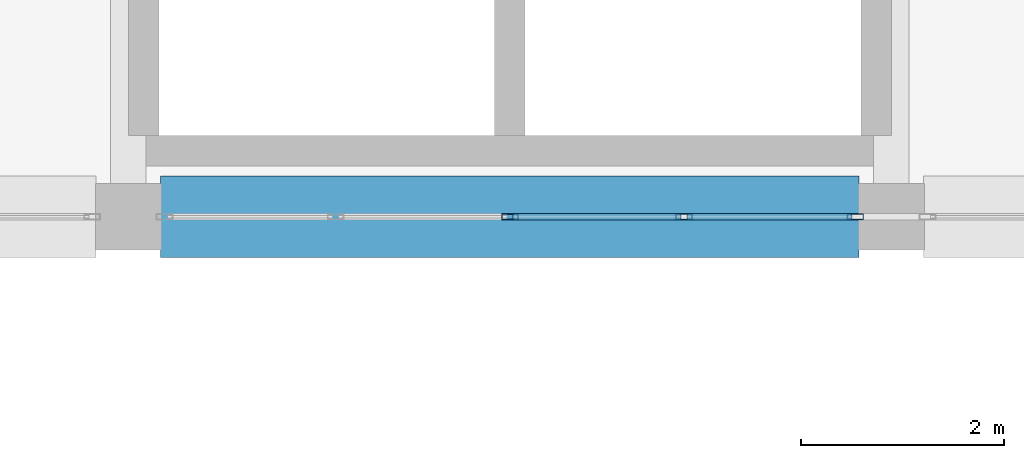
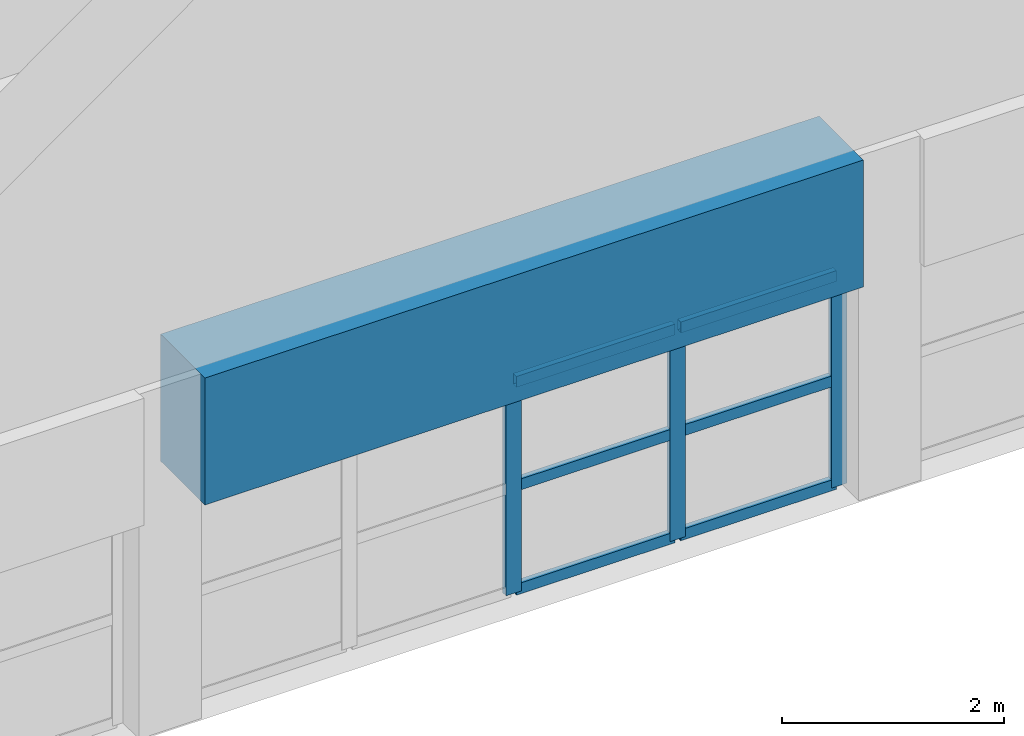
# One storey, part 23 of 74: 9 members, 1 beam, 1 element without a shape of its own.
"""IFC4 building model written with IfcOpenShell, lengths in metres."""

from ifc_helpers import new_model, si_unit, direction, frame, origin, origin_2d, place, context, subcontext, project, spatial, rectangle, hollow_rectangle, extrude, material, layer, layer_set, material_profile, profile_set, type_object, element, aggregate, save


model = new_model("IFC4")

# Units and contexts
model_context = context("Model", 3, precision=1e-05, world=origin(), true_north=direction((0.0, 1.0)))
body_context = subcontext(model_context, "Body", "Model", "MODEL_VIEW")
ifc_project = project(units=[si_unit("LENGTHUNIT", "METRE"), si_unit("AREAUNIT", "SQUARE_METRE"), si_unit("VOLUMEUNIT", "CUBIC_METRE"), si_unit("PLANEANGLEUNIT", "RADIAN"), si_unit("MASSUNIT", "GRAM", prefix="KILO")], contexts=[model_context])

# Site, building, storey
site_placement = place(None, origin())
site = spatial("IfcSite", under=ifc_project, at=site_placement, CompositionType="ELEMENT")
building_placement = place(site_placement, origin())
building = spatial("IfcBuilding", under=site, at=building_placement, Name="Muzn Square Opera House", CompositionType="ELEMENT")
storey_placement = place(building_placement, frame((0.0, 0.0, 14.199951171875)))
storey = spatial("IfcBuildingStorey", under=building, at=storey_placement, Name="L03", CompositionType="ELEMENT", Elevation=14.199951171875)

# Curtain wall, members
ifc_material_1 = material(Name="Low-E laminated acoustic double glazing", Category="glass")
ifc_layer = layer(ifc_material_1, 0.159912109375, Name="Low-E laminated acoustic double glazing", Category="glass")
ifc_layer_set = layer_set([ifc_layer], Name="Low-E laminated acoustic double glazing")
curtain_wall_type = type_object("IfcCurtainWallType", Name="Glazed Curtain Wall Forecourt 6850x2350", PredefinedType="USERDEFINED", material=ifc_layer_set)
curtain_wall_placement = place(storey_placement, origin())
curtain_wall = element("IfcCurtainWall", 1, at=curtain_wall_placement, inside=storey, type_object=curtain_wall_type, Name="Glazed Curtain Wall CW-L03-027", ObjectType="GLAZED CURTAIN WALL", PredefinedType="USERDEFINED")
ifc_material_2 = material(Name="Anodised bronze aluminium 6063-T6", Category="metal")
ifc_material_profile_1 = material_profile(ifc_material_2, hollow_rectangle(XDim=0.06005859375, YDim=0.159912109375, WallThickness=0.00390625, at=origin_2d()), Name="ALU 160x60x4", Category="metal")
ifc_profile_set_1 = profile_set([ifc_material_profile_1], Name="Anodised bronze aluminium 6063-T6")
member_type_1 = type_object("IfcMemberType", Name="Curtain Wall Mullion 160x60", PredefinedType="MULLION", material=ifc_profile_set_1)
member_1_placement = place(storey_placement, frame((114.25, 22.0, 0.0), z_axis=(0.0, 0.0, 1.0), x_axis=(0.0, 1.0, 0.0)))
member_1 = element("IfcMember", 2, at=member_1_placement, type_object=member_type_1, Name="CW-FC-68x23 mullion 3", PredefinedType="MULLION", context=body_context, shape_type="SweptSolid", body=[
    extrude(hollow_rectangle(XDim=0.06005859375, YDim=0.159912109375, WallThickness=0.00390625, at=origin_2d()), origin(), (0.0, 0.0, 1.0), 2.35009765625),
])
member_2_placement = place(storey_placement, frame((115.96240234375, 22.0, 0.0), z_axis=(0.0, 0.0, 1.0), x_axis=(0.0, 1.0, 0.0)))
member_2 = element("IfcMember", 3, at=member_2_placement, type_object=member_type_1, Name="CW-FC-68x23 mullion 4", PredefinedType="MULLION", context=body_context, shape_type="SweptSolid", body=[
    extrude(hollow_rectangle(XDim=0.06005859375, YDim=0.159912109375, WallThickness=0.00390625, at=origin_2d()), origin(), (0.0, 0.0, 1.0), 2.35009765625),
])
member_3_placement = place(storey_placement, frame((117.64501953125, 22.0, 0.0), z_axis=(0.0, 0.0, 1.0), x_axis=(0.0, 1.0, 0.0)))
member_3 = element("IfcMember", 4, at=member_3_placement, type_object=member_type_1, Name="CW-FC-68x23 mullion 5", PredefinedType="MULLION", context=body_context, shape_type="SweptSolid", body=[
    extrude(hollow_rectangle(XDim=0.06005859375, YDim=0.159912109375, WallThickness=0.00390625, at=origin_2d()), origin(), (0.0, 0.0, 1.0), 2.35009765625),
])
ifc_material_profile_2 = material_profile(ifc_material_2, hollow_rectangle(XDim=0.06005859375, YDim=0.1201171875, WallThickness=0.00390625, at=origin_2d()), Name="ALU 120x60x4", Category="metal")
ifc_profile_set_2 = profile_set([ifc_material_profile_2], Name="Anodised bronze aluminium 6063-T6")
member_type_2 = type_object("IfcMemberType", Name="Curtain Wall Transom 120x60", PredefinedType="USERDEFINED", material=ifc_profile_set_2)
member_4_placement = place(storey_placement, frame((114.280029296875, 22.0, 0.030029296875), z_axis=(1.0, 0.0, 0.0), x_axis=(0.0, 1.0, 0.0)))
member_4 = element("IfcMember", 5, at=member_4_placement, type_object=member_type_2, Name="CW-FC-68x23 transom 3.1", ObjectType="TRANSOM", PredefinedType="USERDEFINED", context=body_context, shape_type="SweptSolid", body=[
    extrude(hollow_rectangle(XDim=0.06005859375, YDim=0.1201171875, WallThickness=0.00390625, at=origin_2d()), origin(), (0.0, 0.0, 1.0), 1.652587890625),
])
member_5_placement = place(storey_placement, frame((114.280029296875, 22.0, 1.175048828125), z_axis=(1.0, 0.0, 0.0), x_axis=(0.0, 1.0, 0.0)))
member_5 = element("IfcMember", 6, at=member_5_placement, type_object=member_type_2, Name="CW-FC-68x23 transom 3.2", ObjectType="TRANSOM", PredefinedType="USERDEFINED", context=body_context, shape_type="SweptSolid", body=[
    extrude(hollow_rectangle(XDim=0.06005859375, YDim=0.1201171875, WallThickness=0.00390625, at=origin_2d()), origin(), (0.0, 0.0, 1.0), 1.652587890625),
])
member_6_placement = place(storey_placement, frame((114.280029296875, 22.0, 2.320068359375), z_axis=(1.0, 0.0, 0.0), x_axis=(0.0, 1.0, 0.0)))
member_6 = element("IfcMember", 7, at=member_6_placement, type_object=member_type_2, Name="CW-FC-68x23 transom 3.3", ObjectType="TRANSOM", PredefinedType="USERDEFINED", context=body_context, shape_type="SweptSolid", body=[
    extrude(hollow_rectangle(XDim=0.06005859375, YDim=0.1201171875, WallThickness=0.00390625, at=origin_2d()), origin(), (0.0, 0.0, 1.0), 1.652587890625),
])
member_7_placement = place(storey_placement, frame((115.992431640625, 22.0, 0.030029296875), z_axis=(1.0, 0.0, 0.0), x_axis=(0.0, 1.0, 0.0)))
member_7 = element("IfcMember", 8, at=member_7_placement, type_object=member_type_2, Name="CW-FC-68x23 transom 4.1", ObjectType="TRANSOM", PredefinedType="USERDEFINED", context=body_context, shape_type="SweptSolid", body=[
    extrude(hollow_rectangle(XDim=0.06005859375, YDim=0.1201171875, WallThickness=0.00390625, at=origin_2d()), origin(), (0.0, 0.0, 1.0), 1.62255859375),
])
member_8_placement = place(storey_placement, frame((115.992431640625, 22.0, 1.175048828125), z_axis=(1.0, 0.0, 0.0), x_axis=(0.0, 1.0, 0.0)))
member_8 = element("IfcMember", 9, at=member_8_placement, type_object=member_type_2, Name="CW-FC-68x23 transom 4.2", ObjectType="TRANSOM", PredefinedType="USERDEFINED", context=body_context, shape_type="SweptSolid", body=[
    extrude(hollow_rectangle(XDim=0.06005859375, YDim=0.1201171875, WallThickness=0.00390625, at=origin_2d()), origin(), (0.0, 0.0, 1.0), 1.62255859375),
])
member_9_placement = place(storey_placement, frame((115.992431640625, 22.0, 2.320068359375), z_axis=(1.0, 0.0, 0.0), x_axis=(0.0, 1.0, 0.0)))
member_9 = element("IfcMember", 10, at=member_9_placement, type_object=member_type_2, Name="CW-FC-68x23 transom 4.3", ObjectType="TRANSOM", PredefinedType="USERDEFINED", context=body_context, shape_type="SweptSolid", body=[
    extrude(hollow_rectangle(XDim=0.06005859375, YDim=0.1201171875, WallThickness=0.00390625, at=origin_2d()), origin(), (0.0, 0.0, 1.0), 1.62255859375),
])
aggregate(curtain_wall, [member_1, member_2, member_3, member_4, member_5, member_6, member_7, member_8, member_9])

# Beam
ifc_material_3 = material(Name="Concrete C45/55", Category="concrete")
ifc_material_profile_3 = material_profile(ifc_material_3, rectangle(XDim=0.800048828125, YDim=1.39990234375, at=origin_2d()), Name="RCB 800x1400", Category="concrete")
ifc_profile_set_3 = profile_set([ifc_material_profile_3], Name="Concrete C45/55")
beam_type = type_object("IfcBeamType", Name="Vault Springing Girder 800x1400", PredefinedType="BEAM", material=ifc_profile_set_3)
beam_placement = place(storey_placement, frame((110.81689453125, 22.0, 3.10009765625), z_axis=(1.0, 0.0, 0.0), x_axis=(0.0, 1.0, 0.0)))
element("IfcBeam", 11, at=beam_placement, inside=storey, type_object=beam_type, Name="Gable Support Girder BM-L03-BM-VS1400-1108_220_1177_220-2416", PredefinedType="BEAM", context=body_context, shape_type="SweptSolid", body=[
    extrude(rectangle(XDim=0.800048828125, YDim=1.39990234375, at=origin_2d()), origin(), (0.0, 0.0, 1.0), 6.8662109375),
])

save(model, "model.ifc")
